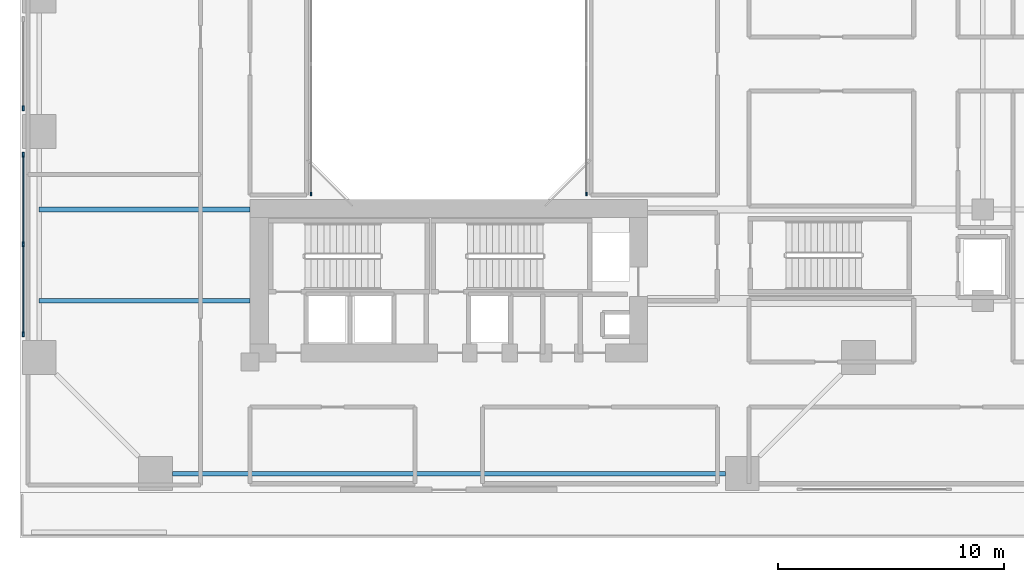
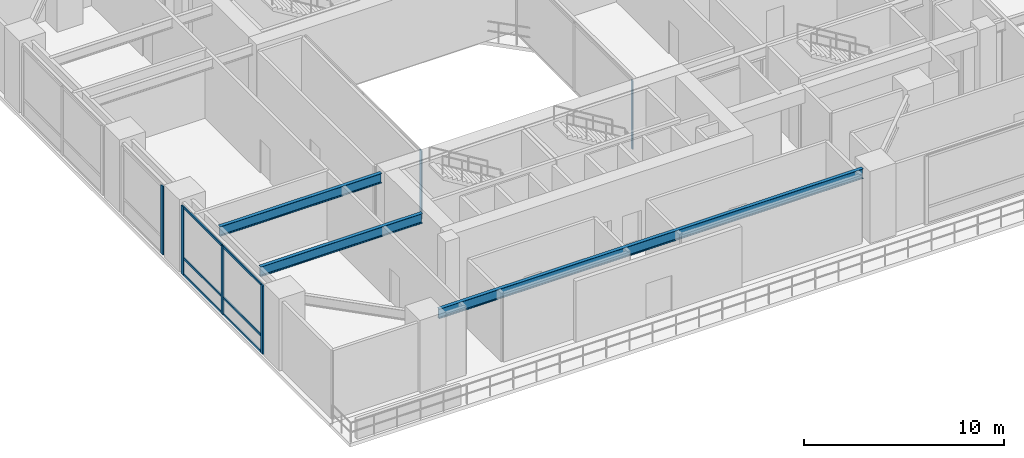
# One storey, part 2 of 19: 12 members, 3 beams, 4 elements without a shape of their own.
"""IFC4 building model written with IfcOpenShell, lengths in metres."""

from ifc_helpers import new_model, si_unit, direction, frame, origin, origin_2d, place, context, subcontext, project, spatial, rectangle, i_section, extrude, source, transform, mapped, material, layer, layer_set, material_profile, profile_set, type_object, element, aggregate, save


model = new_model("IFC4")

# Units and contexts
model_context = context("Model", 3, precision=1e-05, world=origin(), true_north=direction((0.0, 1.0)))
body_context = subcontext(model_context, "Body", "Model", "MODEL_VIEW")
ifc_project = project(units=[si_unit("LENGTHUNIT", "METRE"), si_unit("AREAUNIT", "SQUARE_METRE"), si_unit("VOLUMEUNIT", "CUBIC_METRE"), si_unit("PLANEANGLEUNIT", "RADIAN"), si_unit("MASSUNIT", "GRAM", prefix="KILO"), si_unit("THERMODYNAMICTEMPERATUREUNIT", "KELVIN"), si_unit("POWERUNIT", "WATT")], contexts=[model_context])

# Site, building, storey
site_placement = place(None, origin())
site = spatial("IfcSite", under=ifc_project, at=site_placement, CompositionType="ELEMENT")
building_placement = place(site_placement, origin())
building = spatial("IfcBuilding", under=site, at=building_placement, Name="Qiaomeng Ring Towers", CompositionType="ELEMENT")
storey_placement = place(building_placement, frame((0.0, 0.0, 9.39990234375)))
storey = spatial("IfcBuildingStorey", under=building, at=storey_placement, Name="L02", CompositionType="ELEMENT", Elevation=9.39990234375)

# Beams
ifc_material_1 = material(Name="Steel Q355B", Category="steel")
ifc_material_profile_1 = material_profile(ifc_material_1, i_section(OverallWidth=0.199951171875, OverallDepth=0.60009765625, WebThickness=0.010986328125, FlangeThickness=0.01708984375, FilletRadius=0.02197265625, at=origin_2d()), Name="HN 600x200x11x17")
ifc_profile_set_1 = profile_set([ifc_material_profile_1], Name="Steel Q355B")
beam_type = type_object("IfcBeamType", Name="STR-BM-HN600", PredefinedType="BEAM", material=ifc_profile_set_1)
shared_shape_1 = source(origin(), body_context, "Body", "SweptSolid", [
    extrude(i_section(OverallWidth=0.199951171875, OverallDepth=0.60009765625, WebThickness=0.010986328125, FlangeThickness=0.01708984375, FilletRadius=0.02197265625, at=origin_2d()), origin(), (0.0, 0.0, 1.0), 24.501953125),
])
beam_placement = place(storey_placement, frame((6.7490234375, 4.85009765625, 3.880126953125), z_axis=(1.0, 0.0, 0.0), x_axis=(0.0, 1.0, 0.0)))
element("IfcBeam", 1, at=beam_placement, inside=storey, type_object=beam_type, Name="L02 beam STR-SP-L02-T1-1", PredefinedType="BEAM", context=body_context, shape_type="MappedRepresentation", body=[
    mapped(shared_shape_1, transform((0.0, 0.0, 0.0), x_axis=(1.0, 0.0, 0.0), y_axis=(0.0, 1.0, 0.0), z_axis=(0.0, 0.0, 1.0), scale=1.0)),
])
shared_shape_2 = source(origin(), body_context, "Body", "SweptSolid", [
    extrude(i_section(OverallWidth=0.199951171875, OverallDepth=0.60009765625, WebThickness=0.010986328125, FlangeThickness=0.01708984375, FilletRadius=0.02197265625, at=origin_2d()), origin(), (0.0, 0.0, 1.0), 9.349853515625),
])
for number, where, z_axis, x_axis, name in (
    (2, (0.85009765625, 12.5, 3.880126953125), (1.0, 0.0, 0.0), (0.0, 1.0, 0.0), "L02 beam STR-BM-L02-W-0"),
    (3, (0.85009765625, 16.550048828125, 3.880126953125), (1.0, 0.0, 0.0), (0.0, 1.0, 0.0), "L02 beam STR-BM-L02-W-1"),
):
    element("IfcBeam", number, at=place(storey_placement, frame(where, z_axis=z_axis, x_axis=x_axis)), inside=storey, type_object=beam_type, Name=name, PredefinedType="BEAM", context=body_context, shape_type="MappedRepresentation", body=[
        mapped(shared_shape_2, transform((0.0, 0.0, 0.0), x_axis=(1.0, 0.0, 0.0), y_axis=(0.0, 1.0, 0.0), z_axis=(0.0, 0.0, 1.0), scale=1.0)),
    ])

# Curtain wall, members
ifc_material_2 = material(Name="Fluorocarbon dark-grey aluminium", Category="aluminium")
ifc_layer_1 = layer(ifc_material_2, 0.179931640625, Name="Fluorocarbon dark-grey aluminium")
ifc_layer_set_1 = layer_set([ifc_layer_1], Name="Fluorocarbon dark-grey aluminium")
curtain_wall_type_1 = type_object("IfcCurtainWallType", Name="ARC-CW-1", PredefinedType="NOTDEFINED", material=ifc_layer_set_1)
curtain_wall_1_placement = place(storey_placement, origin())
curtain_wall_1 = element("IfcCurtainWall", 4, at=curtain_wall_1_placement, inside=storey, type_object=curtain_wall_type_1, Name="L02 Curtain Wall CW1", PredefinedType="NOTDEFINED")
ifc_material_profile_2 = material_profile(ifc_material_2, rectangle(XDim=0.070068359375, YDim=0.139892578125, at=origin_2d()), Name="ALU TRAN 70x140")
ifc_profile_set_2 = profile_set([ifc_material_profile_2], Name="Fluorocarbon dark-grey aluminium")
member_type_1 = type_object("IfcMemberType", Name="ARC-CWT-140", PredefinedType="USERDEFINED", material=ifc_profile_set_2)
shared_shape_3 = source(origin(), body_context, "Body", "SweptSolid", [
    extrude(rectangle(XDim=0.070068359375, YDim=0.139892578125, at=origin_2d()), origin(), (0.0, 0.0, 1.0), 3.889892578125),
])
member_1_placement = place(storey_placement, frame((0.14990234375, 11.070068359375, 0.03515625), z_axis=(0.0, 1.0, 0.0), x_axis=(-1.0, 0.0, 0.0)))
member_1 = element("IfcMember", 5, at=member_1_placement, type_object=member_type_1, Name="CW1 transom 1.1", ObjectType="TRANSOM", PredefinedType="USERDEFINED", context=body_context, shape_type="MappedRepresentation", body=[
    mapped(shared_shape_3, transform((0.0, 0.0, 0.0), x_axis=(1.0, 0.0, 0.0), y_axis=(0.0, 1.0, 0.0), z_axis=(0.0, 0.0, 1.0), scale=1.0)),
])
member_2_placement = place(storey_placement, frame((0.14990234375, 11.070068359375, 1.050048828125), z_axis=(0.0, 1.0, 0.0), x_axis=(-1.0, 0.0, 0.0)))
member_2 = element("IfcMember", 6, at=member_2_placement, type_object=member_type_1, Name="CW1 transom 1.2", ObjectType="TRANSOM", PredefinedType="USERDEFINED", context=body_context, shape_type="MappedRepresentation", body=[
    mapped(shared_shape_3, transform((0.0, 0.0, 0.0), x_axis=(1.0, 0.0, 0.0), y_axis=(0.0, 1.0, 0.0), z_axis=(0.0, 0.0, 1.0), scale=1.0)),
])
member_3_placement = place(storey_placement, frame((0.14990234375, 11.070068359375, 4.14501953125), z_axis=(0.0, 1.0, 0.0), x_axis=(-1.0, 0.0, 0.0)))
member_3 = element("IfcMember", 7, at=member_3_placement, type_object=member_type_1, Name="CW1 transom 1.3", ObjectType="TRANSOM", PredefinedType="USERDEFINED", context=body_context, shape_type="MappedRepresentation", body=[
    mapped(shared_shape_3, transform((0.0, 0.0, 0.0), x_axis=(1.0, 0.0, 0.0), y_axis=(0.0, 1.0, 0.0), z_axis=(0.0, 0.0, 1.0), scale=1.0)),
])
member_4_placement = place(storey_placement, frame((0.14990234375, 15.0400390625, 0.03515625), z_axis=(0.0, 1.0, 0.0), x_axis=(-1.0, 0.0, 0.0)))
member_4 = element("IfcMember", 8, at=member_4_placement, type_object=member_type_1, Name="CW1 transom 2.1", ObjectType="TRANSOM", PredefinedType="USERDEFINED", context=body_context, shape_type="MappedRepresentation", body=[
    mapped(shared_shape_3, transform((0.0, 0.0, 0.0), x_axis=(1.0, 0.0, 0.0), y_axis=(0.0, 1.0, 0.0), z_axis=(0.0, 0.0, 1.0), scale=1.0)),
])
member_5_placement = place(storey_placement, frame((0.14990234375, 15.0400390625, 1.050048828125), z_axis=(0.0, 1.0, 0.0), x_axis=(-1.0, 0.0, 0.0)))
member_5 = element("IfcMember", 9, at=member_5_placement, type_object=member_type_1, Name="CW1 transom 2.2", ObjectType="TRANSOM", PredefinedType="USERDEFINED", context=body_context, shape_type="MappedRepresentation", body=[
    mapped(shared_shape_3, transform((0.0, 0.0, 0.0), x_axis=(1.0, 0.0, 0.0), y_axis=(0.0, 1.0, 0.0), z_axis=(0.0, 0.0, 1.0), scale=1.0)),
])
member_6_placement = place(storey_placement, frame((0.14990234375, 15.0400390625, 4.14501953125), z_axis=(0.0, 1.0, 0.0), x_axis=(-1.0, 0.0, 0.0)))
member_6 = element("IfcMember", 10, at=member_6_placement, type_object=member_type_1, Name="CW1 transom 2.3", ObjectType="TRANSOM", PredefinedType="USERDEFINED", context=body_context, shape_type="MappedRepresentation", body=[
    mapped(shared_shape_3, transform((0.0, 0.0, 0.0), x_axis=(1.0, 0.0, 0.0), y_axis=(0.0, 1.0, 0.0), z_axis=(0.0, 0.0, 1.0), scale=1.0)),
])
ifc_material_profile_3 = material_profile(ifc_material_2, rectangle(XDim=0.080078125, YDim=0.219970703125, at=origin_2d()), Name="ALU MULL 80x220")
ifc_profile_set_3 = profile_set([ifc_material_profile_3], Name="Fluorocarbon dark-grey aluminium")
member_type_2 = type_object("IfcMemberType", Name="ARC-CWM-180", PredefinedType="MULLION", material=ifc_profile_set_3)
shared_shape_4 = source(origin(), body_context, "Body", "SweptSolid", [
    extrude(rectangle(XDim=0.080078125, YDim=0.219970703125, at=origin_2d()), origin(), (0.0, 0.0, 1.0), 4.18017578125),
])
member_7_placement = place(storey_placement, frame((0.14990234375, 11.030029296875, 0.0), z_axis=(0.0, 0.0, 1.0), x_axis=(-1.0, 0.0, 0.0)))
member_7 = element("IfcMember", 11, at=member_7_placement, type_object=member_type_2, Name="CW1 mullion 1", PredefinedType="MULLION", context=body_context, shape_type="MappedRepresentation", body=[
    mapped(shared_shape_4, transform((0.0, 0.0, 0.0), x_axis=(1.0, 0.0, 0.0), y_axis=(0.0, 1.0, 0.0), z_axis=(0.0, 0.0, 1.0), scale=1.0)),
])
member_8_placement = place(storey_placement, frame((0.14990234375, 15.0, 0.0), z_axis=(0.0, 0.0, 1.0), x_axis=(-1.0, 0.0, 0.0)))
member_8 = element("IfcMember", 12, at=member_8_placement, type_object=member_type_2, Name="CW1 mullion 2", PredefinedType="MULLION", context=body_context, shape_type="MappedRepresentation", body=[
    mapped(shared_shape_4, transform((0.0, 0.0, 0.0), x_axis=(1.0, 0.0, 0.0), y_axis=(0.0, 1.0, 0.0), z_axis=(0.0, 0.0, 1.0), scale=1.0)),
])
member_9_placement = place(storey_placement, frame((0.14990234375, 18.969970703125, 0.0), z_axis=(0.0, 0.0, 1.0), x_axis=(-1.0, 0.0, 0.0)))
member_9 = element("IfcMember", 13, at=member_9_placement, type_object=member_type_2, Name="CW1 mullion 3", PredefinedType="MULLION", context=body_context, shape_type="MappedRepresentation", body=[
    mapped(shared_shape_4, transform((0.0, 0.0, 0.0), x_axis=(1.0, 0.0, 0.0), y_axis=(0.0, 1.0, 0.0), z_axis=(0.0, 0.0, 1.0), scale=1.0)),
])
aggregate(curtain_wall_1, [member_7, member_8, member_9, member_1, member_2, member_3, member_4, member_5, member_6])

# Curtain wall, member
curtain_wall_2_placement = place(storey_placement, origin())
curtain_wall_2 = element("IfcCurtainWall", 14, at=curtain_wall_2_placement, inside=storey, type_object=curtain_wall_type_1, Name="L02 Curtain Wall CW1", PredefinedType="NOTDEFINED")
member_10_placement = place(storey_placement, frame((0.14990234375, 21.030029296875, 0.0), z_axis=(0.0, 0.0, 1.0), x_axis=(-1.0, 0.0, 0.0)))
member_10 = element("IfcMember", 15, at=member_10_placement, type_object=member_type_2, Name="CW1 mullion 1", PredefinedType="MULLION", context=body_context, shape_type="MappedRepresentation", body=[
    mapped(shared_shape_4, transform((0.0, 0.0, 0.0), x_axis=(1.0, 0.0, 0.0), y_axis=(0.0, 1.0, 0.0), z_axis=(0.0, 0.0, 1.0), scale=1.0)),
])
aggregate(curtain_wall_2, [member_10])

ifc_layer_2 = layer(ifc_material_2, 0.139892578125, Name="Fluorocarbon dark-grey aluminium")
ifc_layer_set_2 = layer_set([ifc_layer_2], Name="Fluorocarbon dark-grey aluminium")
curtain_wall_type_2 = type_object("IfcCurtainWallType", Name="ARC-CW-4", PredefinedType="NOTDEFINED", material=ifc_layer_set_2)
curtain_wall_3_placement = place(storey_placement, origin())
curtain_wall_3 = element("IfcCurtainWall", 16, at=curtain_wall_3_placement, inside=storey, type_object=curtain_wall_type_2, Name="L02 Curtain Wall CW4", PredefinedType="NOTDEFINED")
ifc_material_profile_4 = material_profile(ifc_material_2, rectangle(XDim=0.06494140625, YDim=0.159912109375, at=origin_2d()), Name="ALU MULL 65x160")
ifc_profile_set_4 = profile_set([ifc_material_profile_4], Name="Fluorocarbon dark-grey aluminium")
member_type_3 = type_object("IfcMemberType", Name="ARC-CWM-140", PredefinedType="MULLION", material=ifc_profile_set_4)
shared_shape_5 = source(origin(), body_context, "Body", "SweptSolid", [
    extrude(rectangle(XDim=0.06494140625, YDim=0.159912109375, at=origin_2d()), origin(), (0.0, 0.0, 1.0), 4.18017578125),
])
member_11_placement = place(storey_placement, frame((12.89990234375, 17.232421875, 0.0), z_axis=(0.0, 0.0, 1.0), x_axis=(-1.0, 0.0, 0.0)))
member_11 = element("IfcMember", 17, at=member_11_placement, type_object=member_type_3, Name="CW4 mullion 1", PredefinedType="MULLION", context=body_context, shape_type="MappedRepresentation", body=[
    mapped(shared_shape_5, transform((0.0, 0.0, 0.0), x_axis=(1.0, 0.0, 0.0), y_axis=(0.0, 1.0, 0.0), z_axis=(0.0, 0.0, 1.0), scale=1.0)),
])
aggregate(curtain_wall_3, [member_11])

curtain_wall_4_placement = place(storey_placement, origin())
curtain_wall_4 = element("IfcCurtainWall", 18, at=curtain_wall_4_placement, inside=storey, type_object=curtain_wall_type_2, Name="L02 Curtain Wall CW4", PredefinedType="NOTDEFINED")
member_12_placement = place(storey_placement, frame((25.10009765625, 17.232421875, 0.0), z_axis=(0.0, 0.0, 1.0), x_axis=(-1.0, 0.0, 0.0)))
member_12 = element("IfcMember", 19, at=member_12_placement, type_object=member_type_3, Name="CW4 mullion 1", PredefinedType="MULLION", context=body_context, shape_type="MappedRepresentation", body=[
    mapped(shared_shape_5, transform((0.0, 0.0, 0.0), x_axis=(1.0, 0.0, 0.0), y_axis=(0.0, 1.0, 0.0), z_axis=(0.0, 0.0, 1.0), scale=1.0)),
])
aggregate(curtain_wall_4, [member_12])

save(model, "model.ifc")
